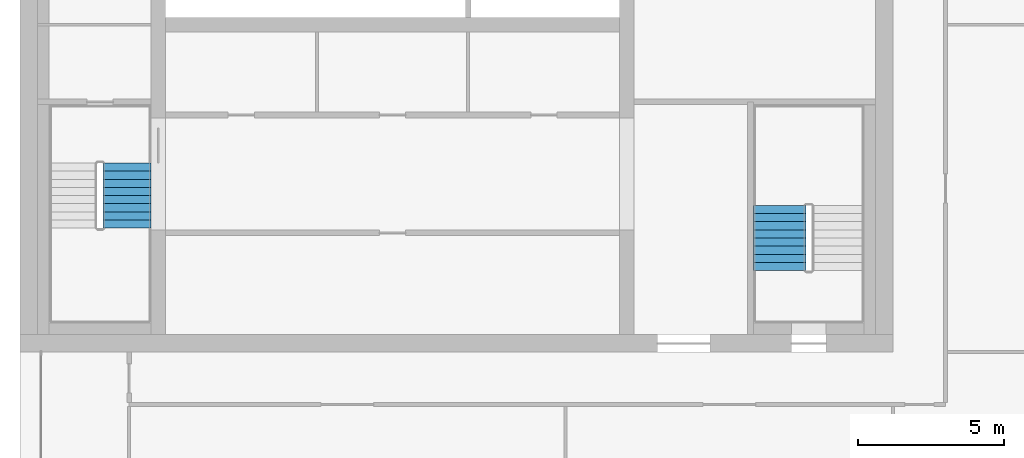
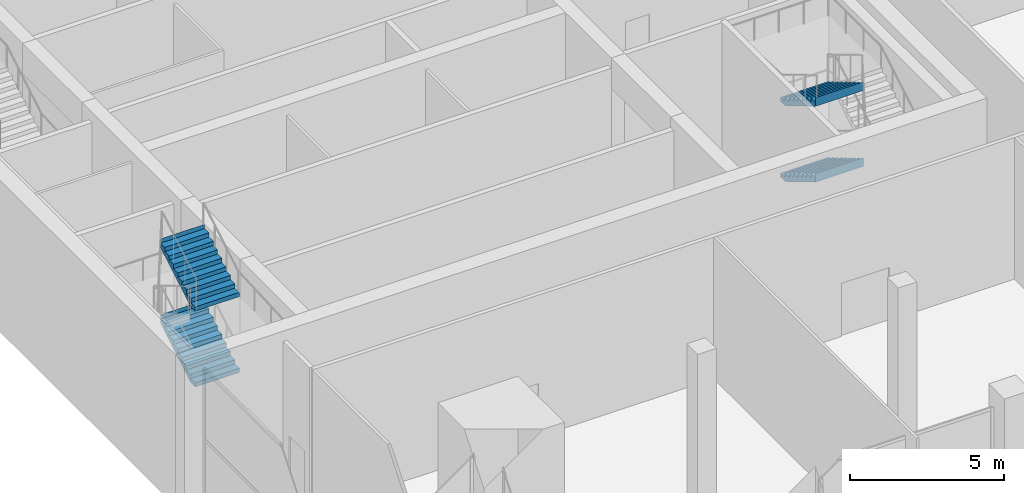
# One storey, part 11 of 15: 4 stair flights, 2 elements without a shape of their own.
"""IFC4 building model written with IfcOpenShell, lengths in metres."""

from ifc_helpers import new_model, si_unit, direction, frame, origin, place, context, subcontext, project, spatial, polyline, outline, extrude, material, type_object, element, aggregate, save


model = new_model("IFC4")

# Units and contexts
model_context = context("Model", 3, precision=1e-05, world=origin(), true_north=direction((0.0, 1.0)))
body_context = subcontext(model_context, "Body", "Model", "MODEL_VIEW")
ifc_project = project(units=[si_unit("LENGTHUNIT", "METRE"), si_unit("AREAUNIT", "SQUARE_METRE"), si_unit("VOLUMEUNIT", "CUBIC_METRE"), si_unit("PLANEANGLEUNIT", "RADIAN"), si_unit("MASSUNIT", "GRAM", prefix="KILO")], contexts=[model_context])

# Site, building, storey
site_placement = place(None, origin())
site = spatial("IfcSite", under=ifc_project, at=site_placement, CompositionType="ELEMENT")
building_placement = place(site_placement, origin())
building = spatial("IfcBuilding", under=site, at=building_placement, Name="Tamorin Gate", CompositionType="ELEMENT")
storey_placement = place(building_placement, frame((0.0, 0.0, 308.699951171875)))
storey = spatial("IfcBuildingStorey", under=building, at=storey_placement, Name="L76", CompositionType="ELEMENT", Elevation=308.699951171875)

# Stair, stair flights
ifc_material = material(Name="Concrete C40/50", Category="concrete")
stair_type = type_object("IfcStairType", Name="Exit stair", PredefinedType="HALF_TURN_STAIR", material=ifc_material)
stair_1_placement = place(storey_placement, origin())
stair_1 = element("IfcStair", 1, at=stair_1_placement, inside=storey, type_object=stair_type, Name="L76 stair ST1", PredefinedType="HALF_TURN_STAIR")
stair_flight_type = type_object("IfcStairFlightType", Name="Exit stair flight", PredefinedType="STRAIGHT", material=ifc_material)
stair_flight_1_placement = place(storey_placement, frame((33.675048828125, 64.260009765625, 1.5), z_axis=(0.0, 0.0, 1.0), x_axis=(0.0, 1.0, 0.0)))
stair_flight_1 = element("IfcStairFlight", 2, at=stair_flight_1_placement, type_object=stair_flight_type, Name="ST1 flight 2", NumberOfRisers=9, NumberOfTreads=8, PredefinedType="STRAIGHT", RiserHeight=0.166666667, TreadLength=0.28, context=body_context, shape_type="SweptSolid", body=[
    extrude(outline(polyline([(-0.00048828125, 0.0), (-0.00048828125, 0.001708984375), (-0.00048828125, 0.00341796875), (-0.00048828125, 0.0048828125), (-0.00048828125, 0.006591796875), (-0.00048828125, 0.00830078125), (-0.00048828125, 0.010009765625), (-0.00048828125, 0.011474609375), (-0.00048828125, 0.01318359375), (-0.00048828125, 0.014892578125), (-0.00048828125, 0.0166015625), (-0.00048828125, 0.01806640625), (-0.00048828125, 0.019775390625), (-0.00048828125, 0.021484375), (-0.00048828125, 0.023193359375), (-0.00048828125, 0.024658203125), (-0.00048828125, 0.0263671875), (-0.00048828125, 0.028076171875), (-0.00048828125, 0.02978515625), (-0.00048828125, 0.03125), (-0.00048828125, 0.032958984375), (-0.00048828125, 0.03466796875), (-0.00048828125, 0.036376953125), (-0.00048828125, 0.037841796875), (-0.00048828125, 0.03955078125), (-0.00048828125, 0.041259765625), (-0.00048828125, 0.04296875), (-0.00048828125, 0.04443359375), (-0.00048828125, 0.046142578125), (-0.00048828125, 0.0478515625), (-0.00048828125, 0.049560546875), (-0.00048828125, 0.05126953125), (-0.00048828125, 0.052734375), (-0.00048828125, 0.054443359375), (-0.00048828125, 0.05615234375), (-0.00048828125, 0.057861328125), (-0.00048828125, 0.059326171875), (-0.00048828125, 0.06103515625), (-0.00048828125, 0.062744140625), (-0.00048828125, 0.064453125), (-0.00048828125, 0.06591796875), (-0.00048828125, 0.067626953125), (-0.00048828125, 0.0693359375), (-0.00048828125, 0.071044921875), (-0.00048828125, 0.072509765625), (-0.00048828125, 0.07421875), (-0.00048828125, 0.075927734375), (-0.00048828125, 0.07763671875), (-0.00048828125, 0.0791015625), (-0.00048828125, 0.080810546875), (-0.00048828125, 0.08251953125), (-0.00048828125, 0.084228515625), (-0.00048828125, 0.085693359375), (-0.00048828125, 0.08740234375), (-0.00048828125, 0.089111328125), (-0.00048828125, 0.0908203125), (-0.00048828125, 0.092529296875), (-0.00048828125, 0.093994140625), (-0.00048828125, 0.095703125), (-0.00048828125, 0.097412109375), (-0.00048828125, 0.09912109375), (-0.00048828125, 0.1005859375), (-0.00048828125, 0.102294921875), (-0.00048828125, 0.10400390625), (-0.00048828125, 0.105712890625), (-0.00048828125, 0.107177734375), (-0.00048828125, 0.10888671875), (-0.00048828125, 0.110595703125), (-0.00048828125, 0.1123046875), (-0.00048828125, 0.11376953125), (-0.00048828125, 0.115478515625), (-0.00048828125, 0.1171875), (-0.00048828125, 0.118896484375), (-0.00048828125, 0.120361328125), (-0.00048828125, 0.1220703125), (-0.00048828125, 0.123779296875), (-0.00048828125, 0.12548828125), (-0.00048828125, 0.126953125), (-0.00048828125, 0.128662109375), (-0.00048828125, 0.13037109375), (-0.00048828125, 0.132080078125), (-0.00048828125, 0.133544921875), (-0.00048828125, 0.13525390625), (-0.00048828125, 0.136962890625), (-0.00048828125, 0.138671875), (-0.00048828125, 0.140380859375), (-0.00048828125, 0.141845703125), (-0.00048828125, 0.1435546875), (-0.00048828125, 0.145263671875), (-0.00048828125, 0.14697265625), (-0.00048828125, 0.1484375), (-0.00048828125, 0.150146484375), (-0.00048828125, 0.15185546875), (-0.00048828125, 0.153564453125), (-0.00048828125, 0.155029296875), (-0.00048828125, 0.15673828125), (-0.00048828125, 0.158447265625), (-0.00048828125, 0.16015625), (-0.00048828125, 0.16162109375), (-0.00048828125, 0.163330078125), (-0.00048828125, 0.1650390625), (-0.00048828125, 0.166748046875), (0.280029296875, 0.166748046875), (0.280029296875, 0.333251953125), (0.56005859375, 0.333251953125), (0.56005859375, 0.5), (0.840087890625, 0.5), (0.840087890625, 0.666748046875), (1.1201171875, 0.666748046875), (1.1201171875, 0.833251953125), (1.39990234375, 0.833251953125), (1.39990234375, 1.0), (1.679931640625, 1.0), (1.679931640625, 1.166748046875), (1.9599609375, 1.166748046875), (1.9599609375, 1.333251953125), (2.239990234375, 1.333251953125), (2.239990234375, 1.5), (2.240478515625, 1.5), (2.240478515625, 1.49658203125), (2.240478515625, 1.4931640625), (2.240478515625, 1.48974609375), (2.240478515625, 1.486572265625), (2.240478515625, 1.483154296875), (2.240478515625, 1.479736328125), (2.240478515625, 1.476318359375), (2.240478515625, 1.472900390625), (2.240478515625, 1.469482421875), (2.240478515625, 1.46630859375), (2.240478515625, 1.462890625), (2.240478515625, 1.45947265625), (2.240478515625, 1.4560546875), (2.240478515625, 1.45263671875), (2.240478515625, 1.44921875), (2.240478515625, 1.446044921875), (2.240478515625, 1.442626953125), (2.240478515625, 1.439208984375), (2.240478515625, 1.435791015625), (2.240478515625, 1.432373046875), (2.240478515625, 1.428955078125), (2.240478515625, 1.42578125), (2.240478515625, 1.42236328125), (2.240478515625, 1.4189453125), (2.240478515625, 1.41552734375), (2.240478515625, 1.412109375), (2.240478515625, 1.40869140625), (2.240478515625, 1.405517578125), (2.240478515625, 1.402099609375), (2.240478515625, 1.398681640625), (2.240478515625, 1.395263671875), (2.240478515625, 1.391845703125), (2.240478515625, 1.388427734375), (2.240478515625, 1.38525390625), (2.240478515625, 1.3818359375), (2.240478515625, 1.37841796875), (2.240478515625, 1.375), (2.240478515625, 1.37158203125), (2.240478515625, 1.3681640625), (2.240478515625, 1.364990234375), (2.240478515625, 1.361572265625), (2.240478515625, 1.358154296875), (2.240478515625, 1.354736328125), (2.240478515625, 1.351318359375), (2.240478515625, 1.347900390625), (2.240478515625, 1.3447265625), (2.240478515625, 1.34130859375), (2.240478515625, 1.337890625), (2.240478515625, 1.33447265625), (2.240478515625, 1.3310546875), (2.240478515625, 1.32763671875), (2.240478515625, 1.324462890625), (2.240478515625, 1.321044921875), (2.240478515625, 1.317626953125), (2.240478515625, 1.314208984375), (2.240478515625, 1.310791015625), (2.240478515625, 1.307373046875), (2.240478515625, 1.30419921875), (2.240478515625, 1.30078125), (2.240478515625, 1.29736328125), (2.240478515625, 1.2939453125), (2.240478515625, 1.29052734375), (2.240478515625, 1.287109375), (2.240478515625, 1.283935546875), (2.240478515625, 1.280517578125), (2.240478515625, 1.277099609375), (2.240478515625, 1.273681640625), (2.240478515625, 1.270263671875), (2.240478515625, 1.266845703125), (2.240478515625, 1.263671875), (2.240478515625, 1.26025390625), (2.240478515625, 1.2568359375), (2.240478515625, 1.25341796875), (2.240478515625, 1.25), (2.240478515625, 1.24658203125), (2.240478515625, 1.243408203125), (2.240478515625, 1.239990234375), (2.240478515625, 1.236572265625), (2.240478515625, 1.233154296875), (2.240478515625, 1.229736328125), (2.240478515625, 1.226318359375), (2.240478515625, 1.22314453125), (2.240478515625, 1.2197265625), (2.240478515625, 1.21630859375), (2.240478515625, 1.212890625), (2.240478515625, 1.20947265625), (2.240478515625, 1.2060546875), (2.240478515625, 1.202880859375), (2.240478515625, 1.199462890625), (2.240478515625, 1.196044921875), (2.240478515625, 1.192626953125), (2.240478515625, 1.189208984375), (2.240478515625, 1.185791015625), (2.240478515625, 1.1826171875), (2.240478515625, 1.17919921875), (2.240478515625, 1.17578125), (2.240478515625, 1.17236328125), (2.240478515625, 1.1689453125), (2.240478515625, 1.16552734375), (2.240478515625, 1.162353515625), (2.240478515625, 1.158935546875), (2.239990234375, 1.158935546875), (0.29296875, 0.0), (-0.00048828125, 0.0)])), frame((0.0, 0.824951171875, 0.0), z_axis=(0.0, -1.0, 0.0), x_axis=(1.0, 0.0, 0.0)), (0.0, 0.0, 1.0), 1.64990234375),
])
stair_flight_2_placement = place(storey_placement, frame((33.675048828125, 64.260009765625, 4.5), z_axis=(0.0, 0.0, 1.0), x_axis=(0.0, 1.0, 0.0)))
stair_flight_2 = element("IfcStairFlight", 3, at=stair_flight_2_placement, type_object=stair_flight_type, Name="ST1 flight 4", NumberOfRisers=9, NumberOfTreads=8, PredefinedType="STRAIGHT", RiserHeight=0.166666667, TreadLength=0.28, context=body_context, shape_type="SweptSolid", body=[
    extrude(outline(polyline([(-0.00048828125, 0.0), (-0.00048828125, 0.001708984375), (-0.00048828125, 0.00341796875), (-0.00048828125, 0.0048828125), (-0.00048828125, 0.006591796875), (-0.00048828125, 0.00830078125), (-0.00048828125, 0.010009765625), (-0.00048828125, 0.011474609375), (-0.00048828125, 0.01318359375), (-0.00048828125, 0.014892578125), (-0.00048828125, 0.0166015625), (-0.00048828125, 0.01806640625), (-0.00048828125, 0.019775390625), (-0.00048828125, 0.021484375), (-0.00048828125, 0.023193359375), (-0.00048828125, 0.024658203125), (-0.00048828125, 0.0263671875), (-0.00048828125, 0.028076171875), (-0.00048828125, 0.02978515625), (-0.00048828125, 0.03125), (-0.00048828125, 0.032958984375), (-0.00048828125, 0.03466796875), (-0.00048828125, 0.036376953125), (-0.00048828125, 0.037841796875), (-0.00048828125, 0.03955078125), (-0.00048828125, 0.041259765625), (-0.00048828125, 0.04296875), (-0.00048828125, 0.04443359375), (-0.00048828125, 0.046142578125), (-0.00048828125, 0.0478515625), (-0.00048828125, 0.049560546875), (-0.00048828125, 0.05126953125), (-0.00048828125, 0.052734375), (-0.00048828125, 0.054443359375), (-0.00048828125, 0.05615234375), (-0.00048828125, 0.057861328125), (-0.00048828125, 0.059326171875), (-0.00048828125, 0.06103515625), (-0.00048828125, 0.062744140625), (-0.00048828125, 0.064453125), (-0.00048828125, 0.06591796875), (-0.00048828125, 0.067626953125), (-0.00048828125, 0.0693359375), (-0.00048828125, 0.071044921875), (-0.00048828125, 0.072509765625), (-0.00048828125, 0.07421875), (-0.00048828125, 0.075927734375), (-0.00048828125, 0.07763671875), (-0.00048828125, 0.0791015625), (-0.00048828125, 0.080810546875), (-0.00048828125, 0.08251953125), (-0.00048828125, 0.084228515625), (-0.00048828125, 0.085693359375), (-0.00048828125, 0.08740234375), (-0.00048828125, 0.089111328125), (-0.00048828125, 0.0908203125), (-0.00048828125, 0.092529296875), (-0.00048828125, 0.093994140625), (-0.00048828125, 0.095703125), (-0.00048828125, 0.097412109375), (-0.00048828125, 0.09912109375), (-0.00048828125, 0.1005859375), (-0.00048828125, 0.102294921875), (-0.00048828125, 0.10400390625), (-0.00048828125, 0.105712890625), (-0.00048828125, 0.107177734375), (-0.00048828125, 0.10888671875), (-0.00048828125, 0.110595703125), (-0.00048828125, 0.1123046875), (-0.00048828125, 0.11376953125), (-0.00048828125, 0.115478515625), (-0.00048828125, 0.1171875), (-0.00048828125, 0.118896484375), (-0.00048828125, 0.120361328125), (-0.00048828125, 0.1220703125), (-0.00048828125, 0.123779296875), (-0.00048828125, 0.12548828125), (-0.00048828125, 0.126953125), (-0.00048828125, 0.128662109375), (-0.00048828125, 0.13037109375), (-0.00048828125, 0.132080078125), (-0.00048828125, 0.133544921875), (-0.00048828125, 0.13525390625), (-0.00048828125, 0.136962890625), (-0.00048828125, 0.138671875), (-0.00048828125, 0.140380859375), (-0.00048828125, 0.141845703125), (-0.00048828125, 0.1435546875), (-0.00048828125, 0.145263671875), (-0.00048828125, 0.14697265625), (-0.00048828125, 0.1484375), (-0.00048828125, 0.150146484375), (-0.00048828125, 0.15185546875), (-0.00048828125, 0.153564453125), (-0.00048828125, 0.155029296875), (-0.00048828125, 0.15673828125), (-0.00048828125, 0.158447265625), (-0.00048828125, 0.16015625), (-0.00048828125, 0.16162109375), (-0.00048828125, 0.163330078125), (-0.00048828125, 0.1650390625), (-0.00048828125, 0.166748046875), (0.280029296875, 0.166748046875), (0.280029296875, 0.333251953125), (0.56005859375, 0.333251953125), (0.56005859375, 0.5), (0.840087890625, 0.5), (0.840087890625, 0.666748046875), (1.1201171875, 0.666748046875), (1.1201171875, 0.833251953125), (1.39990234375, 0.833251953125), (1.39990234375, 1.0), (1.679931640625, 1.0), (1.679931640625, 1.166748046875), (1.9599609375, 1.166748046875), (1.9599609375, 1.333251953125), (2.239990234375, 1.333251953125), (2.239990234375, 1.5), (2.240478515625, 1.5), (2.240478515625, 1.49658203125), (2.240478515625, 1.4931640625), (2.240478515625, 1.48974609375), (2.240478515625, 1.486572265625), (2.240478515625, 1.483154296875), (2.240478515625, 1.479736328125), (2.240478515625, 1.476318359375), (2.240478515625, 1.472900390625), (2.240478515625, 1.469482421875), (2.240478515625, 1.46630859375), (2.240478515625, 1.462890625), (2.240478515625, 1.45947265625), (2.240478515625, 1.4560546875), (2.240478515625, 1.45263671875), (2.240478515625, 1.44921875), (2.240478515625, 1.446044921875), (2.240478515625, 1.442626953125), (2.240478515625, 1.439208984375), (2.240478515625, 1.435791015625), (2.240478515625, 1.432373046875), (2.240478515625, 1.428955078125), (2.240478515625, 1.42578125), (2.240478515625, 1.42236328125), (2.240478515625, 1.4189453125), (2.240478515625, 1.41552734375), (2.240478515625, 1.412109375), (2.240478515625, 1.40869140625), (2.240478515625, 1.405517578125), (2.240478515625, 1.402099609375), (2.240478515625, 1.398681640625), (2.240478515625, 1.395263671875), (2.240478515625, 1.391845703125), (2.240478515625, 1.388427734375), (2.240478515625, 1.38525390625), (2.240478515625, 1.3818359375), (2.240478515625, 1.37841796875), (2.240478515625, 1.375), (2.240478515625, 1.37158203125), (2.240478515625, 1.3681640625), (2.240478515625, 1.364990234375), (2.240478515625, 1.361572265625), (2.240478515625, 1.358154296875), (2.240478515625, 1.354736328125), (2.240478515625, 1.351318359375), (2.240478515625, 1.347900390625), (2.240478515625, 1.3447265625), (2.240478515625, 1.34130859375), (2.240478515625, 1.337890625), (2.240478515625, 1.33447265625), (2.240478515625, 1.3310546875), (2.240478515625, 1.32763671875), (2.240478515625, 1.324462890625), (2.240478515625, 1.321044921875), (2.240478515625, 1.317626953125), (2.240478515625, 1.314208984375), (2.240478515625, 1.310791015625), (2.240478515625, 1.307373046875), (2.240478515625, 1.30419921875), (2.240478515625, 1.30078125), (2.240478515625, 1.29736328125), (2.240478515625, 1.2939453125), (2.240478515625, 1.29052734375), (2.240478515625, 1.287109375), (2.240478515625, 1.283935546875), (2.240478515625, 1.280517578125), (2.240478515625, 1.277099609375), (2.240478515625, 1.273681640625), (2.240478515625, 1.270263671875), (2.240478515625, 1.266845703125), (2.240478515625, 1.263671875), (2.240478515625, 1.26025390625), (2.240478515625, 1.2568359375), (2.240478515625, 1.25341796875), (2.240478515625, 1.25), (2.240478515625, 1.24658203125), (2.240478515625, 1.243408203125), (2.240478515625, 1.239990234375), (2.240478515625, 1.236572265625), (2.240478515625, 1.233154296875), (2.240478515625, 1.229736328125), (2.240478515625, 1.226318359375), (2.240478515625, 1.22314453125), (2.240478515625, 1.2197265625), (2.240478515625, 1.21630859375), (2.240478515625, 1.212890625), (2.240478515625, 1.20947265625), (2.240478515625, 1.2060546875), (2.240478515625, 1.202880859375), (2.240478515625, 1.199462890625), (2.240478515625, 1.196044921875), (2.240478515625, 1.192626953125), (2.240478515625, 1.189208984375), (2.240478515625, 1.185791015625), (2.240478515625, 1.1826171875), (2.240478515625, 1.17919921875), (2.240478515625, 1.17578125), (2.240478515625, 1.17236328125), (2.240478515625, 1.1689453125), (2.240478515625, 1.16552734375), (2.240478515625, 1.162353515625), (2.240478515625, 1.158935546875), (2.239990234375, 1.158935546875), (0.29296875, 0.0), (-0.00048828125, 0.0)])), frame((0.0, 0.824951171875, 0.0), z_axis=(0.0, -1.0, 0.0), x_axis=(1.0, 0.0, 0.0)), (0.0, 0.0, 1.0), 1.64990234375),
])
aggregate(stair_1, [stair_flight_1, stair_flight_2])

stair_2_placement = place(storey_placement, origin())
stair_2 = element("IfcStair", 4, at=stair_2_placement, inside=storey, type_object=stair_type, Name="L76 stair ST3", PredefinedType="HALF_TURN_STAIR")
stair_flight_3_placement = place(storey_placement, frame((56.10009765625, 65.0400390625, 1.5), z_axis=(0.0, 0.0, 1.0), x_axis=(0.0, -1.0, 0.0)))
stair_flight_3 = element("IfcStairFlight", 5, at=stair_flight_3_placement, type_object=stair_flight_type, Name="ST3 flight 2", NumberOfRisers=9, NumberOfTreads=8, PredefinedType="STRAIGHT", RiserHeight=0.166666667, TreadLength=0.28, context=body_context, shape_type="SweptSolid", body=[
    extrude(outline(polyline([(-0.00048828125, 0.0), (-0.00048828125, 0.001708984375), (-0.00048828125, 0.00341796875), (-0.00048828125, 0.0048828125), (-0.00048828125, 0.006591796875), (-0.00048828125, 0.00830078125), (-0.00048828125, 0.010009765625), (-0.00048828125, 0.011474609375), (-0.00048828125, 0.01318359375), (-0.00048828125, 0.014892578125), (-0.00048828125, 0.0166015625), (-0.00048828125, 0.01806640625), (-0.00048828125, 0.019775390625), (-0.00048828125, 0.021484375), (-0.00048828125, 0.023193359375), (-0.00048828125, 0.024658203125), (-0.00048828125, 0.0263671875), (-0.00048828125, 0.028076171875), (-0.00048828125, 0.02978515625), (-0.00048828125, 0.03125), (-0.00048828125, 0.032958984375), (-0.00048828125, 0.03466796875), (-0.00048828125, 0.036376953125), (-0.00048828125, 0.037841796875), (-0.00048828125, 0.03955078125), (-0.00048828125, 0.041259765625), (-0.00048828125, 0.04296875), (-0.00048828125, 0.04443359375), (-0.00048828125, 0.046142578125), (-0.00048828125, 0.0478515625), (-0.00048828125, 0.049560546875), (-0.00048828125, 0.05126953125), (-0.00048828125, 0.052734375), (-0.00048828125, 0.054443359375), (-0.00048828125, 0.05615234375), (-0.00048828125, 0.057861328125), (-0.00048828125, 0.059326171875), (-0.00048828125, 0.06103515625), (-0.00048828125, 0.062744140625), (-0.00048828125, 0.064453125), (-0.00048828125, 0.06591796875), (-0.00048828125, 0.067626953125), (-0.00048828125, 0.0693359375), (-0.00048828125, 0.071044921875), (-0.00048828125, 0.072509765625), (-0.00048828125, 0.07421875), (-0.00048828125, 0.075927734375), (-0.00048828125, 0.07763671875), (-0.00048828125, 0.0791015625), (-0.00048828125, 0.080810546875), (-0.00048828125, 0.08251953125), (-0.00048828125, 0.084228515625), (-0.00048828125, 0.085693359375), (-0.00048828125, 0.08740234375), (-0.00048828125, 0.089111328125), (-0.00048828125, 0.0908203125), (-0.00048828125, 0.092529296875), (-0.00048828125, 0.093994140625), (-0.00048828125, 0.095703125), (-0.00048828125, 0.097412109375), (-0.00048828125, 0.09912109375), (-0.00048828125, 0.1005859375), (-0.00048828125, 0.102294921875), (-0.00048828125, 0.10400390625), (-0.00048828125, 0.105712890625), (-0.00048828125, 0.107177734375), (-0.00048828125, 0.10888671875), (-0.00048828125, 0.110595703125), (-0.00048828125, 0.1123046875), (-0.00048828125, 0.11376953125), (-0.00048828125, 0.115478515625), (-0.00048828125, 0.1171875), (-0.00048828125, 0.118896484375), (-0.00048828125, 0.120361328125), (-0.00048828125, 0.1220703125), (-0.00048828125, 0.123779296875), (-0.00048828125, 0.12548828125), (-0.00048828125, 0.126953125), (-0.00048828125, 0.128662109375), (-0.00048828125, 0.13037109375), (-0.00048828125, 0.132080078125), (-0.00048828125, 0.133544921875), (-0.00048828125, 0.13525390625), (-0.00048828125, 0.136962890625), (-0.00048828125, 0.138671875), (-0.00048828125, 0.140380859375), (-0.00048828125, 0.141845703125), (-0.00048828125, 0.1435546875), (-0.00048828125, 0.145263671875), (-0.00048828125, 0.14697265625), (-0.00048828125, 0.1484375), (-0.00048828125, 0.150146484375), (-0.00048828125, 0.15185546875), (-0.00048828125, 0.153564453125), (-0.00048828125, 0.155029296875), (-0.00048828125, 0.15673828125), (-0.00048828125, 0.158447265625), (-0.00048828125, 0.16015625), (-0.00048828125, 0.16162109375), (-0.00048828125, 0.163330078125), (-0.00048828125, 0.1650390625), (-0.00048828125, 0.166748046875), (0.280029296875, 0.166748046875), (0.280029296875, 0.333251953125), (0.56005859375, 0.333251953125), (0.56005859375, 0.5), (0.840087890625, 0.5), (0.840087890625, 0.666748046875), (1.1201171875, 0.666748046875), (1.1201171875, 0.833251953125), (1.39990234375, 0.833251953125), (1.39990234375, 1.0), (1.679931640625, 1.0), (1.679931640625, 1.166748046875), (1.9599609375, 1.166748046875), (1.9599609375, 1.333251953125), (2.239990234375, 1.333251953125), (2.239990234375, 1.5), (2.240478515625, 1.5), (2.240478515625, 1.49658203125), (2.240478515625, 1.4931640625), (2.240478515625, 1.48974609375), (2.240478515625, 1.486572265625), (2.240478515625, 1.483154296875), (2.240478515625, 1.479736328125), (2.240478515625, 1.476318359375), (2.240478515625, 1.472900390625), (2.240478515625, 1.469482421875), (2.240478515625, 1.46630859375), (2.240478515625, 1.462890625), (2.240478515625, 1.45947265625), (2.240478515625, 1.4560546875), (2.240478515625, 1.45263671875), (2.240478515625, 1.44921875), (2.240478515625, 1.446044921875), (2.240478515625, 1.442626953125), (2.240478515625, 1.439208984375), (2.240478515625, 1.435791015625), (2.240478515625, 1.432373046875), (2.240478515625, 1.428955078125), (2.240478515625, 1.42578125), (2.240478515625, 1.42236328125), (2.240478515625, 1.4189453125), (2.240478515625, 1.41552734375), (2.240478515625, 1.412109375), (2.240478515625, 1.40869140625), (2.240478515625, 1.405517578125), (2.240478515625, 1.402099609375), (2.240478515625, 1.398681640625), (2.240478515625, 1.395263671875), (2.240478515625, 1.391845703125), (2.240478515625, 1.388427734375), (2.240478515625, 1.38525390625), (2.240478515625, 1.3818359375), (2.240478515625, 1.37841796875), (2.240478515625, 1.375), (2.240478515625, 1.37158203125), (2.240478515625, 1.3681640625), (2.240478515625, 1.364990234375), (2.240478515625, 1.361572265625), (2.240478515625, 1.358154296875), (2.240478515625, 1.354736328125), (2.240478515625, 1.351318359375), (2.240478515625, 1.347900390625), (2.240478515625, 1.3447265625), (2.240478515625, 1.34130859375), (2.240478515625, 1.337890625), (2.240478515625, 1.33447265625), (2.240478515625, 1.3310546875), (2.240478515625, 1.32763671875), (2.240478515625, 1.324462890625), (2.240478515625, 1.321044921875), (2.240478515625, 1.317626953125), (2.240478515625, 1.314208984375), (2.240478515625, 1.310791015625), (2.240478515625, 1.307373046875), (2.240478515625, 1.30419921875), (2.240478515625, 1.30078125), (2.240478515625, 1.29736328125), (2.240478515625, 1.2939453125), (2.240478515625, 1.29052734375), (2.240478515625, 1.287109375), (2.240478515625, 1.283935546875), (2.240478515625, 1.280517578125), (2.240478515625, 1.277099609375), (2.240478515625, 1.273681640625), (2.240478515625, 1.270263671875), (2.240478515625, 1.266845703125), (2.240478515625, 1.263671875), (2.240478515625, 1.26025390625), (2.240478515625, 1.2568359375), (2.240478515625, 1.25341796875), (2.240478515625, 1.25), (2.240478515625, 1.24658203125), (2.240478515625, 1.243408203125), (2.240478515625, 1.239990234375), (2.240478515625, 1.236572265625), (2.240478515625, 1.233154296875), (2.240478515625, 1.229736328125), (2.240478515625, 1.226318359375), (2.240478515625, 1.22314453125), (2.240478515625, 1.2197265625), (2.240478515625, 1.21630859375), (2.240478515625, 1.212890625), (2.240478515625, 1.20947265625), (2.240478515625, 1.2060546875), (2.240478515625, 1.202880859375), (2.240478515625, 1.199462890625), (2.240478515625, 1.196044921875), (2.240478515625, 1.192626953125), (2.240478515625, 1.189208984375), (2.240478515625, 1.185791015625), (2.240478515625, 1.1826171875), (2.240478515625, 1.17919921875), (2.240478515625, 1.17578125), (2.240478515625, 1.17236328125), (2.240478515625, 1.1689453125), (2.240478515625, 1.16552734375), (2.240478515625, 1.162353515625), (2.240478515625, 1.158935546875), (2.239990234375, 1.158935546875), (0.29296875, 0.0), (-0.00048828125, 0.0)])), frame((0.0, 0.89990234375, 0.0), z_axis=(0.0, -1.0, 0.0), x_axis=(1.0, 0.0, 0.0)), (0.0, 0.0, 1.0), 1.800048828125),
])
stair_flight_4_placement = place(storey_placement, frame((56.10009765625, 65.0400390625, 4.5), z_axis=(0.0, 0.0, 1.0), x_axis=(0.0, -1.0, 0.0)))
stair_flight_4 = element("IfcStairFlight", 6, at=stair_flight_4_placement, type_object=stair_flight_type, Name="ST3 flight 4", NumberOfRisers=9, NumberOfTreads=8, PredefinedType="STRAIGHT", RiserHeight=0.166666667, TreadLength=0.28, context=body_context, shape_type="SweptSolid", body=[
    extrude(outline(polyline([(-0.00048828125, 0.0), (-0.00048828125, 0.001708984375), (-0.00048828125, 0.00341796875), (-0.00048828125, 0.0048828125), (-0.00048828125, 0.006591796875), (-0.00048828125, 0.00830078125), (-0.00048828125, 0.010009765625), (-0.00048828125, 0.011474609375), (-0.00048828125, 0.01318359375), (-0.00048828125, 0.014892578125), (-0.00048828125, 0.0166015625), (-0.00048828125, 0.01806640625), (-0.00048828125, 0.019775390625), (-0.00048828125, 0.021484375), (-0.00048828125, 0.023193359375), (-0.00048828125, 0.024658203125), (-0.00048828125, 0.0263671875), (-0.00048828125, 0.028076171875), (-0.00048828125, 0.02978515625), (-0.00048828125, 0.03125), (-0.00048828125, 0.032958984375), (-0.00048828125, 0.03466796875), (-0.00048828125, 0.036376953125), (-0.00048828125, 0.037841796875), (-0.00048828125, 0.03955078125), (-0.00048828125, 0.041259765625), (-0.00048828125, 0.04296875), (-0.00048828125, 0.04443359375), (-0.00048828125, 0.046142578125), (-0.00048828125, 0.0478515625), (-0.00048828125, 0.049560546875), (-0.00048828125, 0.05126953125), (-0.00048828125, 0.052734375), (-0.00048828125, 0.054443359375), (-0.00048828125, 0.05615234375), (-0.00048828125, 0.057861328125), (-0.00048828125, 0.059326171875), (-0.00048828125, 0.06103515625), (-0.00048828125, 0.062744140625), (-0.00048828125, 0.064453125), (-0.00048828125, 0.06591796875), (-0.00048828125, 0.067626953125), (-0.00048828125, 0.0693359375), (-0.00048828125, 0.071044921875), (-0.00048828125, 0.072509765625), (-0.00048828125, 0.07421875), (-0.00048828125, 0.075927734375), (-0.00048828125, 0.07763671875), (-0.00048828125, 0.0791015625), (-0.00048828125, 0.080810546875), (-0.00048828125, 0.08251953125), (-0.00048828125, 0.084228515625), (-0.00048828125, 0.085693359375), (-0.00048828125, 0.08740234375), (-0.00048828125, 0.089111328125), (-0.00048828125, 0.0908203125), (-0.00048828125, 0.092529296875), (-0.00048828125, 0.093994140625), (-0.00048828125, 0.095703125), (-0.00048828125, 0.097412109375), (-0.00048828125, 0.09912109375), (-0.00048828125, 0.1005859375), (-0.00048828125, 0.102294921875), (-0.00048828125, 0.10400390625), (-0.00048828125, 0.105712890625), (-0.00048828125, 0.107177734375), (-0.00048828125, 0.10888671875), (-0.00048828125, 0.110595703125), (-0.00048828125, 0.1123046875), (-0.00048828125, 0.11376953125), (-0.00048828125, 0.115478515625), (-0.00048828125, 0.1171875), (-0.00048828125, 0.118896484375), (-0.00048828125, 0.120361328125), (-0.00048828125, 0.1220703125), (-0.00048828125, 0.123779296875), (-0.00048828125, 0.12548828125), (-0.00048828125, 0.126953125), (-0.00048828125, 0.128662109375), (-0.00048828125, 0.13037109375), (-0.00048828125, 0.132080078125), (-0.00048828125, 0.133544921875), (-0.00048828125, 0.13525390625), (-0.00048828125, 0.136962890625), (-0.00048828125, 0.138671875), (-0.00048828125, 0.140380859375), (-0.00048828125, 0.141845703125), (-0.00048828125, 0.1435546875), (-0.00048828125, 0.145263671875), (-0.00048828125, 0.14697265625), (-0.00048828125, 0.1484375), (-0.00048828125, 0.150146484375), (-0.00048828125, 0.15185546875), (-0.00048828125, 0.153564453125), (-0.00048828125, 0.155029296875), (-0.00048828125, 0.15673828125), (-0.00048828125, 0.158447265625), (-0.00048828125, 0.16015625), (-0.00048828125, 0.16162109375), (-0.00048828125, 0.163330078125), (-0.00048828125, 0.1650390625), (-0.00048828125, 0.166748046875), (0.280029296875, 0.166748046875), (0.280029296875, 0.333251953125), (0.56005859375, 0.333251953125), (0.56005859375, 0.5), (0.840087890625, 0.5), (0.840087890625, 0.666748046875), (1.1201171875, 0.666748046875), (1.1201171875, 0.833251953125), (1.39990234375, 0.833251953125), (1.39990234375, 1.0), (1.679931640625, 1.0), (1.679931640625, 1.166748046875), (1.9599609375, 1.166748046875), (1.9599609375, 1.333251953125), (2.239990234375, 1.333251953125), (2.239990234375, 1.5), (2.240478515625, 1.5), (2.240478515625, 1.49658203125), (2.240478515625, 1.4931640625), (2.240478515625, 1.48974609375), (2.240478515625, 1.486572265625), (2.240478515625, 1.483154296875), (2.240478515625, 1.479736328125), (2.240478515625, 1.476318359375), (2.240478515625, 1.472900390625), (2.240478515625, 1.469482421875), (2.240478515625, 1.46630859375), (2.240478515625, 1.462890625), (2.240478515625, 1.45947265625), (2.240478515625, 1.4560546875), (2.240478515625, 1.45263671875), (2.240478515625, 1.44921875), (2.240478515625, 1.446044921875), (2.240478515625, 1.442626953125), (2.240478515625, 1.439208984375), (2.240478515625, 1.435791015625), (2.240478515625, 1.432373046875), (2.240478515625, 1.428955078125), (2.240478515625, 1.42578125), (2.240478515625, 1.42236328125), (2.240478515625, 1.4189453125), (2.240478515625, 1.41552734375), (2.240478515625, 1.412109375), (2.240478515625, 1.40869140625), (2.240478515625, 1.405517578125), (2.240478515625, 1.402099609375), (2.240478515625, 1.398681640625), (2.240478515625, 1.395263671875), (2.240478515625, 1.391845703125), (2.240478515625, 1.388427734375), (2.240478515625, 1.38525390625), (2.240478515625, 1.3818359375), (2.240478515625, 1.37841796875), (2.240478515625, 1.375), (2.240478515625, 1.37158203125), (2.240478515625, 1.3681640625), (2.240478515625, 1.364990234375), (2.240478515625, 1.361572265625), (2.240478515625, 1.358154296875), (2.240478515625, 1.354736328125), (2.240478515625, 1.351318359375), (2.240478515625, 1.347900390625), (2.240478515625, 1.3447265625), (2.240478515625, 1.34130859375), (2.240478515625, 1.337890625), (2.240478515625, 1.33447265625), (2.240478515625, 1.3310546875), (2.240478515625, 1.32763671875), (2.240478515625, 1.324462890625), (2.240478515625, 1.321044921875), (2.240478515625, 1.317626953125), (2.240478515625, 1.314208984375), (2.240478515625, 1.310791015625), (2.240478515625, 1.307373046875), (2.240478515625, 1.30419921875), (2.240478515625, 1.30078125), (2.240478515625, 1.29736328125), (2.240478515625, 1.2939453125), (2.240478515625, 1.29052734375), (2.240478515625, 1.287109375), (2.240478515625, 1.283935546875), (2.240478515625, 1.280517578125), (2.240478515625, 1.277099609375), (2.240478515625, 1.273681640625), (2.240478515625, 1.270263671875), (2.240478515625, 1.266845703125), (2.240478515625, 1.263671875), (2.240478515625, 1.26025390625), (2.240478515625, 1.2568359375), (2.240478515625, 1.25341796875), (2.240478515625, 1.25), (2.240478515625, 1.24658203125), (2.240478515625, 1.243408203125), (2.240478515625, 1.239990234375), (2.240478515625, 1.236572265625), (2.240478515625, 1.233154296875), (2.240478515625, 1.229736328125), (2.240478515625, 1.226318359375), (2.240478515625, 1.22314453125), (2.240478515625, 1.2197265625), (2.240478515625, 1.21630859375), (2.240478515625, 1.212890625), (2.240478515625, 1.20947265625), (2.240478515625, 1.2060546875), (2.240478515625, 1.202880859375), (2.240478515625, 1.199462890625), (2.240478515625, 1.196044921875), (2.240478515625, 1.192626953125), (2.240478515625, 1.189208984375), (2.240478515625, 1.185791015625), (2.240478515625, 1.1826171875), (2.240478515625, 1.17919921875), (2.240478515625, 1.17578125), (2.240478515625, 1.17236328125), (2.240478515625, 1.1689453125), (2.240478515625, 1.16552734375), (2.240478515625, 1.162353515625), (2.240478515625, 1.158935546875), (2.239990234375, 1.158935546875), (0.29296875, 0.0), (-0.00048828125, 0.0)])), frame((0.0, 0.89990234375, 0.0), z_axis=(0.0, -1.0, 0.0), x_axis=(1.0, 0.0, 0.0)), (0.0, 0.0, 1.0), 1.800048828125),
])
aggregate(stair_2, [stair_flight_3, stair_flight_4])

save(model, "model.ifc")
